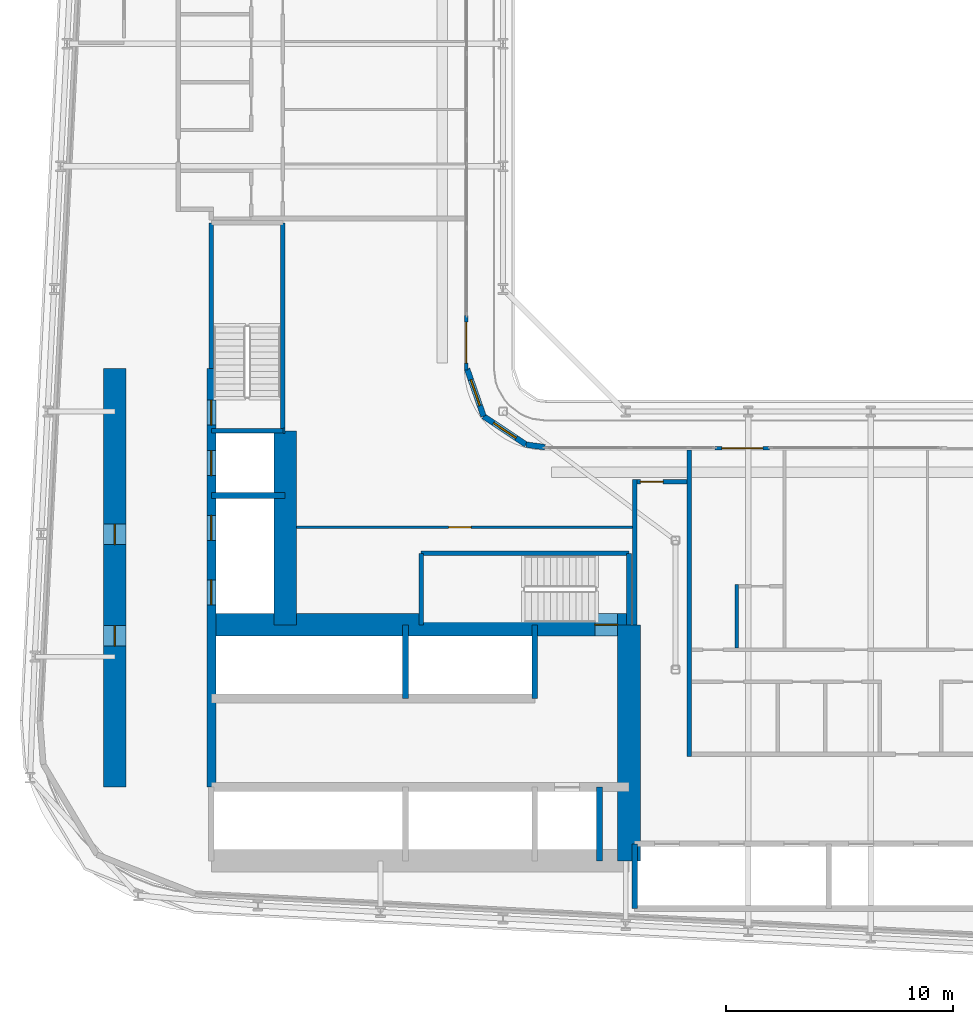
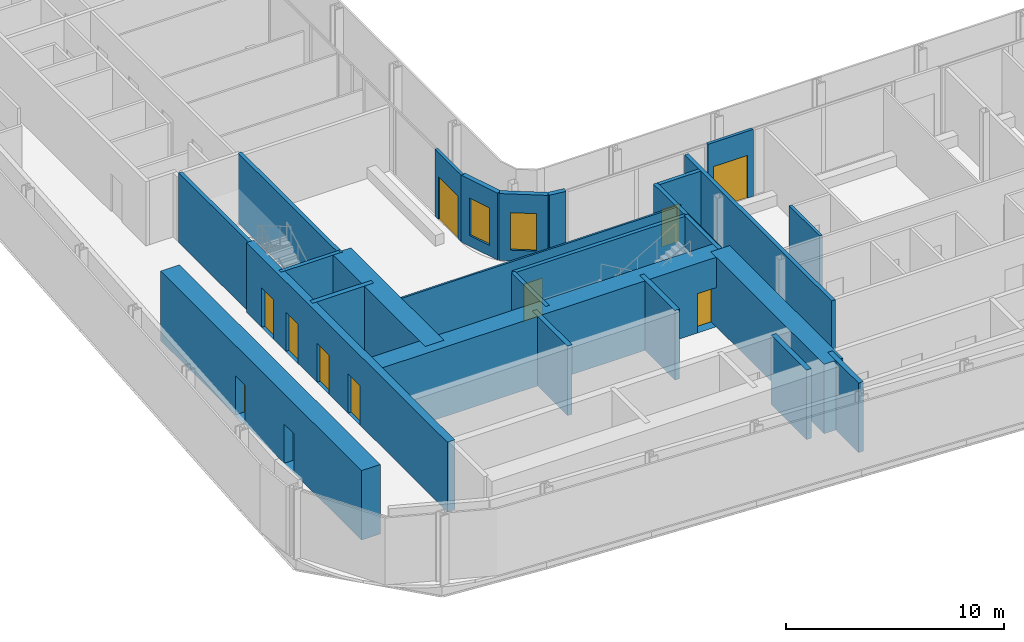
# One storey, part 12 of 25: 27 walls, 11 doors, 2 windows, 13 openings.
"""IFC4 building model written with IfcOpenShell, lengths in metres."""

from ifc_helpers import new_model, si_unit, direction, frame, frame_2d, origin, place, context, subcontext, project, spatial, rectangle, extrude, source, transform, mapped, material, layer, layer_set, type_object, element, fill, save


model = new_model("IFC4")

# Units and contexts
model_context = context("Model", 3, precision=1e-05, world=origin(), true_north=direction((0.0, 1.0)))
body_context = subcontext(model_context, "Body", "Model", "MODEL_VIEW")
ifc_project = project(units=[si_unit("LENGTHUNIT", "METRE"), si_unit("AREAUNIT", "SQUARE_METRE"), si_unit("VOLUMEUNIT", "CUBIC_METRE"), si_unit("PLANEANGLEUNIT", "RADIAN"), si_unit("MASSUNIT", "GRAM", prefix="KILO")], contexts=[model_context])

# Site, building, storey
site_placement = place(None, origin())
site = spatial("IfcSite", under=ifc_project, at=site_placement, CompositionType="ELEMENT")
building_placement = place(site_placement, origin())
building = spatial("IfcBuilding", under=site, at=building_placement, Name="Kheshtan School and Residences Tower", CompositionType="ELEMENT")
storey_placement = place(building_placement, frame((0.0, 0.0, 34.39990234375)))
storey = spatial("IfcBuildingStorey", under=building, at=storey_placement, Name="L07", CompositionType="ELEMENT", Elevation=34.39990234375)

# Wall, opening, door
ifc_material_1 = material(Name="Concrete C80/95", Category="concrete")
ifc_layer_1 = layer(ifc_material_1, 1.0)
ifc_layer_set_1 = layer_set([ifc_layer_1], Name="Core wall 1000 Concrete C80/95")
wall_type_1 = type_object("IfcWallType", Name="Core wall 1000 Concrete C80/95", PredefinedType="SHEAR", material=ifc_layer_set_1)
wall_1_placement = place(storey_placement, frame((34.75, 36.199951171875, 0.0), z_axis=(0.0, 0.0, 1.0), x_axis=(1.0, 0.0, 0.0)))
wall_1 = element("IfcWall", 1, at=wall_1_placement, inside=storey, type_object=wall_type_1, Name="Core wall CW-FRONT-S", PredefinedType="SHEAR", context=body_context, shape_type="SweptSolid", body=[
    extrude(rectangle(XDim=18.39990234375, YDim=1.0, at=frame_2d((9.199951171875, 0.0))), origin(), (0.0, 0.0, 1.0), 3.900146484375),
])
opening_1_placement = place(wall_1_placement, frame((16.89990234375, 0.0, 0.0)))
opening_1 = element("IfcOpeningElement", 2, at=opening_1_placement, cuts=wall_1, Name="Opening ST1D", PredefinedType="OPENING", context=body_context, shape_type="SweptSolid", body=[
    extrude(rectangle(XDim=1.0, YDim=2.199951171875, at=frame_2d((0.5, 1.10009765625))), frame((0.0, 0.510009765625, 0.0), z_axis=(0.0, -1.0, 0.0), x_axis=(1.0, 0.0, 0.0)), (0.0, 0.0, 1.0), 1.02001953125),
])
ifc_material_2 = material(Name="Steel door leaf, galvanised", Category="steel")
door_type_1 = type_object("IfcDoorType", Name="Stair door 1100 steel 90 min", OperationType="SINGLE_SWING_LEFT", PredefinedType="DOOR", material=ifc_material_2)
shared_shape_1 = source(origin(), body_context, "Body", "SweptSolid", [
    extrude(rectangle(XDim=1.0, YDim=2.199951171875, at=frame_2d((0.5, 1.10009765625))), frame((0.0, 0.02490234375, 0.0), z_axis=(0.0, -1.0, 0.0), x_axis=(1.0, 0.0, 0.0)), (0.0, 0.0, 1.0), 0.050048828125),
])
door_1_placement = place(opening_1_placement, origin())
door_1 = element("IfcDoor", 3, at=door_1_placement, inside=storey, type_object=door_type_1, Name="Stair ST1 door", OperationType="SINGLE_SWING_RIGHT", OverallHeight=2.199951171875, OverallWidth=1.0, PredefinedType="DOOR", context=body_context, shape_type="MappedRepresentation", body=[
    mapped(shared_shape_1, transform((0.0, 0.0, 0.0), x_axis=(1.0, 0.0, 0.0), y_axis=(0.0, 1.0, 0.0), z_axis=(0.0, 0.0, 1.0), scale=1.0)),
])
fill(opening_1, door_1)

# Wall
wall_2_placement = place(storey_placement, frame((38.0, 36.199951171875, 0.0), z_axis=(0.0, 0.0, 1.0), x_axis=(0.0, 1.0, 0.0)))
element("IfcWall", 4, at=wall_2_placement, inside=storey, type_object=wall_type_1, Name="Core wall CW-FRONT-W", PredefinedType="SHEAR", context=body_context, shape_type="SweptSolid", body=[
    extrude(rectangle(XDim=8.550048828125, YDim=1.0, at=frame_2d((4.27490234375, 0.0))), origin(), (0.0, 0.0, 1.0), 3.900146484375),
])

# Wall, openings, doors
wall_3_placement = place(storey_placement, frame((30.5, 29.050048828125, 0.0), z_axis=(0.0, 0.0, 1.0), x_axis=(0.0, 1.0, 0.0)))
wall_3 = element("IfcWall", 5, at=wall_3_placement, inside=storey, type_object=wall_type_1, Name="Core wall CW-REAR-W", PredefinedType="SHEAR", context=body_context, shape_type="SweptSolid", body=[
    extrude(rectangle(XDim=18.449951171875, YDim=1.0, at=frame_2d((9.22509765625, 0.0))), origin(), (0.0, 0.0, 1.0), 3.900146484375),
])
opening_2_placement = place(wall_3_placement, frame((6.2099609375, 0.0, 0.0)))
opening_2 = element("IfcOpeningElement", 6, at=opening_2_placement, cuts=wall_3, Name="Opening SR90", PredefinedType="OPENING", context=body_context, shape_type="SweptSolid", body=[
    extrude(rectangle(XDim=0.89990234375, YDim=2.199951171875, at=frame_2d((0.449951171875, 1.10009765625))), frame((0.0, 0.510009765625, 0.0), z_axis=(0.0, -1.0, 0.0), x_axis=(1.0, 0.0, 0.0)), (0.0, 0.0, 1.0), 1.02001953125),
])
opening_3_placement = place(wall_3_placement, frame((10.68408203125, 0.0, 0.0)))
opening_3 = element("IfcOpeningElement", 7, at=opening_3_placement, cuts=wall_3, Name="Opening SR90", PredefinedType="OPENING", context=body_context, shape_type="SweptSolid", body=[
    extrude(rectangle(XDim=0.89990234375, YDim=2.199951171875, at=frame_2d((0.449951171875, 1.10009765625))), frame((0.0, 0.510009765625, 0.0), z_axis=(0.0, -1.0, 0.0), x_axis=(1.0, 0.0, 0.0)), (0.0, 0.0, 1.0), 1.02001953125),
])
door_type_2 = type_object("IfcDoorType", Name="Service room door 900 steel 90 min", OperationType="SINGLE_SWING_LEFT", PredefinedType="DOOR", material=ifc_material_2)
shared_shape_2 = source(origin(), body_context, "Body", "SweptSolid", [
    extrude(rectangle(XDim=0.89990234375, YDim=2.199951171875, at=frame_2d((0.449951171875, 1.10009765625))), frame((0.0, 0.02490234375, 0.0), z_axis=(0.0, -1.0, 0.0), x_axis=(1.0, 0.0, 0.0)), (0.0, 0.0, 1.0), 0.050048828125),
])
door_2_placement = place(opening_2_placement, origin())
door_2 = element("IfcDoor", 8, at=door_2_placement, inside=storey, type_object=door_type_2, Name="Service room door", OperationType="SINGLE_SWING_RIGHT", OverallHeight=2.199951171875, OverallWidth=0.89990234375, PredefinedType="DOOR", context=body_context, shape_type="MappedRepresentation", body=[
    mapped(shared_shape_2, transform((0.0, 0.0, 0.0), x_axis=(1.0, 0.0, 0.0), y_axis=(0.0, 1.0, 0.0), z_axis=(0.0, 0.0, 1.0), scale=1.0)),
])
fill(opening_2, door_2)
door_3_placement = place(opening_3_placement, origin())
door_3 = element("IfcDoor", 9, at=door_3_placement, inside=storey, type_object=door_type_2, Name="Service room door", OperationType="SINGLE_SWING_LEFT", OverallHeight=2.199951171875, OverallWidth=0.89990234375, PredefinedType="DOOR", context=body_context, shape_type="MappedRepresentation", body=[
    mapped(shared_shape_2, transform((0.0, 0.0, 0.0), x_axis=(1.0, 0.0, 0.0), y_axis=(0.0, 1.0, 0.0), z_axis=(0.0, 0.0, 1.0), scale=1.0)),
])
fill(opening_3, door_3)

# Wall
wall_4_placement = place(storey_placement, frame((53.14990234375, 25.800048828125, 0.0), z_axis=(0.0, 0.0, 1.0), x_axis=(0.0, 1.0, 0.0)))
element("IfcWall", 10, at=wall_4_placement, inside=storey, type_object=wall_type_1, Name="Core wall CW-EAST", PredefinedType="SHEAR", context=body_context, shape_type="SweptSolid", body=[
    extrude(rectangle(XDim=10.39990234375, YDim=1.0, at=frame_2d((5.199951171875, 0.0))), origin(), (0.0, 0.0, 1.0), 3.900146484375),
])

# Wall, openings, doors
ifc_material_3 = material(Name="Concrete C50/60", Category="concrete")
ifc_layer_2 = layer(ifc_material_3, 0.39990234375)
ifc_layer_set_2 = layer_set([ifc_layer_2], Name="Core wall 400 Concrete C50/60")
wall_type_2 = type_object("IfcWallType", Name="Core wall 400 Concrete C50/60", PredefinedType="SHEAR", material=ifc_layer_set_2)
wall_5_placement = place(storey_placement, frame((34.75, 29.050048828125, 0.0), z_axis=(0.0, 0.0, 1.0), x_axis=(0.0, 1.0, 0.0)))
wall_5 = element("IfcWall", 11, at=wall_5_placement, inside=storey, type_object=wall_type_2, Name="Core wall CW-HALL-W1", PredefinedType="SHEAR", context=body_context, shape_type="SweptSolid", body=[
    extrude(rectangle(XDim=18.449951171875, YDim=0.39990234375, at=frame_2d((9.22509765625, 0.0))), origin(), (0.0, 0.0, 1.0), 3.900146484375),
])
opening_4_placement = place(wall_5_placement, frame((8.02490234375, 0.0, 0.0)))
opening_4 = element("IfcOpeningElement", 12, at=opening_4_placement, cuts=wall_5, Name="Opening LD", PredefinedType="OPENING", context=body_context, shape_type="SweptSolid", body=[
    extrude(rectangle(XDim=1.10009765625, YDim=2.199951171875, at=frame_2d((0.550048828125, 1.10009765625))), frame((0.0, 0.2099609375, 0.0), z_axis=(0.0, -1.0, 0.0), x_axis=(1.0, 0.0, 0.0)), (0.0, 0.0, 1.0), 0.419921875),
])
opening_5_placement = place(wall_5_placement, frame((10.875, 0.0, 0.0)))
opening_5 = element("IfcOpeningElement", 13, at=opening_5_placement, cuts=wall_5, Name="Opening LD", PredefinedType="OPENING", context=body_context, shape_type="SweptSolid", body=[
    extrude(rectangle(XDim=1.10009765625, YDim=2.199951171875, at=frame_2d((0.550048828125, 1.10009765625))), frame((0.0, 0.2099609375, 0.0), z_axis=(0.0, -1.0, 0.0), x_axis=(1.0, 0.0, 0.0)), (0.0, 0.0, 1.0), 0.419921875),
])
opening_6_placement = place(wall_5_placement, frame((13.72509765625, 0.0, 0.0)))
opening_6 = element("IfcOpeningElement", 14, at=opening_6_placement, cuts=wall_5, Name="Opening LD", PredefinedType="OPENING", context=body_context, shape_type="SweptSolid", body=[
    extrude(rectangle(XDim=1.10009765625, YDim=2.199951171875, at=frame_2d((0.550048828125, 1.10009765625))), frame((0.0, 0.2099609375, 0.0), z_axis=(0.0, -1.0, 0.0), x_axis=(1.0, 0.0, 0.0)), (0.0, 0.0, 1.0), 0.419921875),
])
opening_7_placement = place(wall_5_placement, frame((15.949951171875, 0.0, 0.0)))
opening_7 = element("IfcOpeningElement", 15, at=opening_7_placement, cuts=wall_5, Name="Opening ST2D", PredefinedType="OPENING", context=body_context, shape_type="SweptSolid", body=[
    extrude(rectangle(XDim=1.10009765625, YDim=2.199951171875, at=frame_2d((0.550048828125, 1.10009765625))), frame((0.0, 0.2099609375, 0.0), z_axis=(0.0, -1.0, 0.0), x_axis=(1.0, 0.0, 0.0)), (0.0, 0.0, 1.0), 0.419921875),
])
ifc_material_4 = material(Name="Stainless steel door leaves", Category="steel")
door_type_3 = type_object("IfcDoorType", Name="Lift landing door 1100", OperationType="SLIDING_TO_LEFT", PredefinedType="DOOR", material=ifc_material_4)
shared_shape_3 = source(origin(), body_context, "Body", "SweptSolid", [
    extrude(rectangle(XDim=1.10009765625, YDim=2.199951171875, at=frame_2d((0.550048828125, 1.10009765625))), frame((0.0, 0.02490234375, 0.0), z_axis=(0.0, -1.0, 0.0), x_axis=(1.0, 0.0, 0.0)), (0.0, 0.0, 1.0), 0.050048828125),
])
door_4_placement = place(opening_4_placement, origin())
door_4 = element("IfcDoor", 16, at=door_4_placement, inside=storey, type_object=door_type_3, Name="Lift SV1 landing door", OperationType="SLIDING_TO_LEFT", OverallHeight=2.199951171875, OverallWidth=1.10009765625, PredefinedType="DOOR", context=body_context, shape_type="MappedRepresentation", body=[
    mapped(shared_shape_3, transform((0.0, 0.0, 0.0), x_axis=(1.0, 0.0, 0.0), y_axis=(0.0, 1.0, 0.0), z_axis=(0.0, 0.0, 1.0), scale=1.0)),
])
fill(opening_4, door_4)
door_5_placement = place(opening_5_placement, origin())
door_5 = element("IfcDoor", 17, at=door_5_placement, inside=storey, type_object=door_type_3, Name="Lift SV2 landing door", OperationType="SLIDING_TO_LEFT", OverallHeight=2.199951171875, OverallWidth=1.10009765625, PredefinedType="DOOR", context=body_context, shape_type="MappedRepresentation", body=[
    mapped(shared_shape_3, transform((0.0, 0.0, 0.0), x_axis=(1.0, 0.0, 0.0), y_axis=(0.0, 1.0, 0.0), z_axis=(0.0, 0.0, 1.0), scale=1.0)),
])
fill(opening_5, door_5)
door_6_placement = place(opening_6_placement, origin())
door_6 = element("IfcDoor", 18, at=door_6_placement, inside=storey, type_object=door_type_3, Name="Lift FFL1 landing door", OperationType="SLIDING_TO_LEFT", OverallHeight=2.199951171875, OverallWidth=1.10009765625, PredefinedType="DOOR", context=body_context, shape_type="MappedRepresentation", body=[
    mapped(shared_shape_3, transform((0.0, 0.0, 0.0), x_axis=(1.0, 0.0, 0.0), y_axis=(0.0, 1.0, 0.0), z_axis=(0.0, 0.0, 1.0), scale=1.0)),
])
fill(opening_6, door_6)
shared_shape_4 = source(origin(), body_context, "Body", "SweptSolid", [
    extrude(rectangle(XDim=1.10009765625, YDim=2.199951171875, at=frame_2d((0.550048828125, 1.10009765625))), frame((0.0, 0.02490234375, 0.0), z_axis=(0.0, -1.0, 0.0), x_axis=(1.0, 0.0, 0.0)), (0.0, 0.0, 1.0), 0.050048828125),
])
door_7_placement = place(opening_7_placement, origin())
door_7 = element("IfcDoor", 19, at=door_7_placement, inside=storey, type_object=door_type_1, Name="Stair ST2 door", OperationType="SINGLE_SWING_RIGHT", OverallHeight=2.199951171875, OverallWidth=1.10009765625, PredefinedType="DOOR", context=body_context, shape_type="MappedRepresentation", body=[
    mapped(shared_shape_4, transform((0.0, 0.0, 0.0), x_axis=(1.0, 0.0, 0.0), y_axis=(0.0, 1.0, 0.0), z_axis=(0.0, 0.0, 1.0), scale=1.0)),
])
fill(opening_7, door_7)

# Wall
ifc_material_5 = material(Name="Gypsum board on steel studs with fire boards", Category="steel")
ifc_layer_3 = layer(ifc_material_5, 0.199951171875)
ifc_layer_set_3 = layer_set([ifc_layer_3], Name="Corridor wall 200")
wall_type_3 = type_object("IfcWallType", Name="Corridor wall 200", PredefinedType="PARTITIONING", material=ifc_layer_set_3)
wall_6_placement = place(storey_placement, frame((53.39990234375, 36.198974609375, 0.0), z_axis=(0.0, 0.0, 1.0), x_axis=(0.0, 1.0, 0.0)))
element("IfcWall", 20, at=wall_6_placement, inside=storey, type_object=wall_type_3, Name="Partition L07-045", PredefinedType="PARTITIONING", context=body_context, shape_type="SweptSolid", body=[
    extrude(rectangle(XDim=6.401123046875, YDim=0.199951171875, at=frame_2d((3.20068359375, 0.0))), origin(), (0.0, 0.0, 1.0), 3.60009765625),
])

# Wall, opening, door
wall_7_placement = place(storey_placement, frame((53.5, 42.5, 0.0), z_axis=(0.0, 0.0, 1.0), x_axis=(1.0, 0.0, 0.0)))
wall_7 = element("IfcWall", 21, at=wall_7_placement, inside=storey, type_object=wall_type_3, Name="Partition L07-046", PredefinedType="PARTITIONING", context=body_context, shape_type="SweptSolid", body=[
    extrude(rectangle(XDim=2.199951171875, YDim=0.199951171875, at=frame_2d((1.10009765625, 0.0))), origin(), (0.0, 0.0, 1.0), 3.60009765625),
])
opening_8_placement = place(wall_7_placement, frame((0.14990234375, 0.0, 0.0)))
opening_8 = element("IfcOpeningElement", 22, at=opening_8_placement, cuts=wall_7, Name="Opening D06-056", PredefinedType="OPENING", context=body_context, shape_type="SweptSolid", body=[
    extrude(rectangle(XDim=1.0, YDim=2.10009765625, at=frame_2d((0.5, 1.050048828125))), frame((0.0, 0.10986328125, 0.0), z_axis=(0.0, -1.0, 0.0), x_axis=(1.0, 0.0, 0.0)), (0.0, 0.0, 1.0), 0.219970703125),
])
ifc_material_6 = material(Name="Steel-framed fire-resisting door leaf", Category="steel")
door_type_4 = type_object("IfcDoorType", Name="Fire door FD60 1000 x 2100", OperationType="SINGLE_SWING_LEFT", PredefinedType="DOOR", material=ifc_material_6)
shared_shape_5 = source(origin(), body_context, "Body", "SweptSolid", [
    extrude(rectangle(XDim=1.0, YDim=2.10009765625, at=frame_2d((0.5, 1.050048828125))), frame((0.0, 0.02490234375, 0.0), z_axis=(0.0, -1.0, 0.0), x_axis=(1.0, 0.0, 0.0)), (0.0, 0.0, 1.0), 0.050048828125),
])
door_8_placement = place(opening_8_placement, origin())
door_8 = element("IfcDoor", 23, at=door_8_placement, inside=storey, type_object=door_type_4, Name="Door D06-056", OperationType="SINGLE_SWING_RIGHT", OverallHeight=2.10009765625, OverallWidth=1.0, PredefinedType="DOOR", context=body_context, shape_type="MappedRepresentation", body=[
    mapped(shared_shape_5, transform((0.0, 0.0, 0.0), x_axis=(1.0, 0.0, 0.0), y_axis=(0.0, 1.0, 0.0), z_axis=(0.0, 0.0, 1.0), scale=1.0)),
])
fill(opening_8, door_8)

# Wall, opening, window
ifc_material_7 = material(Name="Concrete C40/50 with ceramic cladding and mineral wool insulation", Category="concrete")
ifc_layer_4 = layer(ifc_material_7, 0.25)
ifc_layer_set_4 = layer_set([ifc_layer_4], Name="External wall 250 ceramic clad")
wall_type_4 = type_object("IfcWallType", Name="External wall 250 ceramic clad", PredefinedType="SOLIDWALL", material=ifc_layer_set_4)
wall_8_placement = place(storey_placement, frame((46.01806640625, 47.470947265625, 0.0), z_axis=(0.0, 0.0, 1.0), x_axis=(0.328791208903, -0.944402637093, 0.0)))
wall_8 = element("IfcWall", 24, at=wall_8_placement, inside=storey, type_object=wall_type_4, Name="External wall L07 9", PredefinedType="SOLIDWALL", context=body_context, shape_type="SweptSolid", body=[
    extrude(rectangle(XDim=2.20458984375, YDim=0.25, at=frame_2d((1.102294921875, 0.0))), origin(), (0.0, 0.0, 1.0), 3.75),
])
opening_9_placement = place(wall_8_placement, frame((0.5029296875, 0.0, 0.60009765625)))
opening_9 = element("IfcOpeningElement", 25, at=opening_9_placement, cuts=wall_8, Name="Opening WN-E", PredefinedType="OPENING", context=body_context, shape_type="SweptSolid", body=[
    extrude(rectangle(XDim=1.199951171875, YDim=2.10009765625, at=frame_2d((0.60009765625, 1.050048828125))), frame((0.0, 0.135009765625, 0.0), z_axis=(0.0, -1.0, 0.0), x_axis=(1.0, 0.0, 0.0)), (0.0, 0.0, 1.0), 0.27001953125),
])
ifc_material_8 = material(Name="Clear low-e glass in thermally broken aluminium frame", Category="aluminium")
window_type = type_object("IfcWindowType", Name="Window WN-E", PartitioningType="SINGLE_PANEL", PredefinedType="WINDOW", material=ifc_material_8)
shared_shape_6 = source(origin(), body_context, "Body", "SweptSolid", [
    extrude(rectangle(XDim=1.199951171875, YDim=2.10009765625, at=frame_2d((0.60009765625, 1.050048828125))), frame((0.0, 0.030029296875, 0.0), z_axis=(0.0, -1.0, 0.0), x_axis=(1.0, 0.0, 0.0)), (0.0, 0.0, 1.0), 0.06005859375),
])
window_1_placement = place(opening_9_placement, origin())
window_1 = element("IfcWindow", 26, at=window_1_placement, inside=storey, type_object=window_type, Name="Window L07 9", OverallHeight=2.10009765625, OverallWidth=1.199951171875, PartitioningType="SINGLE_PANEL", PredefinedType="WINDOW", context=body_context, shape_type="MappedRepresentation", body=[
    mapped(shared_shape_6, transform((0.0, 0.0, 0.0), x_axis=(1.0, 0.0, 0.0), y_axis=(0.0, 1.0, 0.0), z_axis=(0.0, 0.0, 1.0), scale=1.0)),
])
fill(opening_9, window_1)

wall_9_placement = place(storey_placement, frame((46.742919921875, 45.388916015625, 0.0), z_axis=(0.0, 0.0, 1.0), x_axis=(0.831449265529, -0.555600682912, 0.0)))
wall_9 = element("IfcWall", 27, at=wall_9_placement, inside=storey, type_object=wall_type_4, Name="External wall L07 10", PredefinedType="SOLIDWALL", context=body_context, shape_type="SweptSolid", body=[
    extrude(rectangle(XDim=2.25146484375, YDim=0.25, at=frame_2d((1.125732421875, 0.0))), origin(), (0.0, 0.0, 1.0), 3.75),
])
opening_10_placement = place(wall_9_placement, frame((0.52490234375, 0.0, 0.60009765625)))
opening_10 = element("IfcOpeningElement", 28, at=opening_10_placement, cuts=wall_9, Name="Opening WN-E", PredefinedType="OPENING", context=body_context, shape_type="SweptSolid", body=[
    extrude(rectangle(XDim=1.199951171875, YDim=2.10009765625, at=frame_2d((0.60009765625, 1.050048828125))), frame((0.0, 0.135009765625, 0.0), z_axis=(0.0, -1.0, 0.0), x_axis=(1.0, 0.0, 0.0)), (0.0, 0.0, 1.0), 0.27001953125),
])
window_2_placement = place(opening_10_placement, origin())
window_2 = element("IfcWindow", 29, at=window_2_placement, inside=storey, type_object=window_type, Name="Window L07 10", OverallHeight=2.10009765625, OverallWidth=1.199951171875, PartitioningType="SINGLE_PANEL", PredefinedType="WINDOW", context=body_context, shape_type="MappedRepresentation", body=[
    mapped(shared_shape_6, transform((0.0, 0.0, 0.0), x_axis=(1.0, 0.0, 0.0), y_axis=(0.0, 1.0, 0.0), z_axis=(0.0, 0.0, 1.0), scale=1.0)),
])
fill(opening_10, window_2)

# Wall
wall_10_placement = place(storey_placement, frame((48.614990234375, 44.137939453125, 0.0), z_axis=(0.0, 0.0, 1.0), x_axis=(0.990741504246, -0.135761819977, 0.0)))
element("IfcWall", 30, at=wall_10_placement, inside=storey, type_object=wall_type_4, Name="External wall L07 11", PredefinedType="SOLIDWALL", context=body_context, shape_type="SweptSolid", body=[
    extrude(rectangle(XDim=0.83984375, YDim=0.25, at=frame_2d((0.419921875, 0.0))), origin(), (0.0, 0.0, 1.0), 3.75),
])

# Wall, opening, door
ifc_material_9 = material(Name="Aluminium frame wall with insulated infill", Category="aluminium")
ifc_layer_5 = layer(ifc_material_9, 0.14990234375)
ifc_layer_set_5 = layer_set([ifc_layer_5], Name="Glazing frame wall 150")
wall_type_5 = type_object("IfcWallType", Name="Glazing frame wall 150", PredefinedType="SOLIDWALL", material=ifc_layer_set_5)
wall_11_placement = place(storey_placement, frame((45.97509765625, 49.830078125, 0.0), z_axis=(0.0, 0.0, 1.0), x_axis=(0.0, -1.0, 0.0)))
wall_11 = element("IfcWall", 31, at=wall_11_placement, inside=storey, type_object=wall_type_5, Name="Balcony door wall L07 8.5", PredefinedType="SOLIDWALL", context=body_context, shape_type="SweptSolid", body=[
    extrude(rectangle(XDim=2.400146484375, YDim=0.14990234375, at=frame_2d((1.2001953125, 0.0))), origin(), (0.0, 0.0, 1.0), 3.75),
])
opening_11_placement = place(wall_11_placement, frame((0.300048828125, 0.0, 0.0)))
opening_11 = element("IfcOpeningElement", 32, at=opening_11_placement, cuts=wall_11, Name="Opening BD", PredefinedType="OPENING", context=body_context, shape_type="SweptSolid", body=[
    extrude(rectangle(XDim=1.800048828125, YDim=2.39990234375, at=frame_2d((0.89990234375, 1.199951171875))), frame((0.0, 0.0849609375, 0.0), z_axis=(0.0, -1.0, 0.0), x_axis=(1.0, 0.0, 0.0)), (0.0, 0.0, 1.0), 0.169921875),
])
door_type_5 = type_object("IfcDoorType", Name="Balcony sliding door", OperationType="SLIDING_TO_LEFT", PredefinedType="DOOR", material=ifc_material_8)
shared_shape_7 = source(origin(), body_context, "Body", "SweptSolid", [
    extrude(rectangle(XDim=1.800048828125, YDim=2.39990234375, at=frame_2d((0.89990234375, 1.199951171875))), frame((0.0, 0.02490234375, 0.0), z_axis=(0.0, -1.0, 0.0), x_axis=(1.0, 0.0, 0.0)), (0.0, 0.0, 1.0), 0.050048828125),
])
door_9_placement = place(opening_11_placement, origin())
door_9 = element("IfcDoor", 33, at=door_9_placement, inside=storey, type_object=door_type_5, Name="Balcony door L07 8.5", OperationType="SLIDING_TO_LEFT", OverallHeight=2.39990234375, OverallWidth=1.800048828125, PredefinedType="DOOR", context=body_context, shape_type="MappedRepresentation", body=[
    mapped(shared_shape_7, transform((0.0, 0.0, 0.0), x_axis=(1.0, 0.0, 0.0), y_axis=(0.0, 1.0, 0.0), z_axis=(0.0, 0.0, 1.0), scale=1.0)),
])
fill(opening_11, door_9)

wall_12_placement = place(storey_placement, frame((56.947021484375, 43.97509765625, 0.0), z_axis=(0.0, 0.0, 1.0), x_axis=(1.0, 0.0, 0.0)))
wall_12 = element("IfcWall", 34, at=wall_12_placement, inside=storey, type_object=wall_type_5, Name="Balcony door wall L07 12.1", PredefinedType="SOLIDWALL", context=body_context, shape_type="SweptSolid", body=[
    extrude(rectangle(XDim=2.39990234375, YDim=0.14990234375, at=frame_2d((1.199951171875, 0.0))), origin(), (0.0, 0.0, 1.0), 3.75),
])
opening_12_placement = place(wall_12_placement, frame((0.300048828125, 0.0, 0.0)))
opening_12 = element("IfcOpeningElement", 35, at=opening_12_placement, cuts=wall_12, Name="Opening BD", PredefinedType="OPENING", context=body_context, shape_type="SweptSolid", body=[
    extrude(rectangle(XDim=1.800048828125, YDim=2.39990234375, at=frame_2d((0.89990234375, 1.199951171875))), frame((0.0, 0.0849609375, 0.0), z_axis=(0.0, -1.0, 0.0), x_axis=(1.0, 0.0, 0.0)), (0.0, 0.0, 1.0), 0.169921875),
])
door_10_placement = place(opening_12_placement, origin())
door_10 = element("IfcDoor", 36, at=door_10_placement, inside=storey, type_object=door_type_5, Name="Balcony door L07 12.1", OperationType="SLIDING_TO_LEFT", OverallHeight=2.39990234375, OverallWidth=1.800048828125, PredefinedType="DOOR", context=body_context, shape_type="MappedRepresentation", body=[
    mapped(shared_shape_7, transform((0.0, 0.0, 0.0), x_axis=(1.0, 0.0, 0.0), y_axis=(0.0, 1.0, 0.0), z_axis=(0.0, 0.0, 1.0), scale=1.0)),
])
fill(opening_12, door_10)

ifc_material_10 = material(Name="Gypsum board on steel studs", Category="steel")
ifc_layer_6 = layer(ifc_material_10, 0.10009765625)
ifc_layer_set_6 = layer_set([ifc_layer_6], Name="Gypsum partition 100")
wall_type_6 = type_object("IfcWallType", Name="Gypsum partition 100", PredefinedType="PARTITIONING", material=ifc_layer_set_6)
wall_13_placement = place(storey_placement, frame((38.4990234375, 40.5, 0.0), z_axis=(0.0, 0.0, 1.0), x_axis=(1.0, 0.0, 0.0)))
wall_13 = element("IfcWall", 37, at=wall_13_placement, inside=storey, type_object=wall_type_6, Name="Partition L07-043", PredefinedType="PARTITIONING", context=body_context, shape_type="SweptSolid", body=[
    extrude(rectangle(XDim=14.801025390625, YDim=0.10009765625, at=frame_2d((7.400390625, 0.0))), origin(), (0.0, 0.0, 1.0), 3.60009765625),
])
opening_13_placement = place(wall_13_placement, frame((6.700927734375, 0.0, 0.0)))
opening_13 = element("IfcOpeningElement", 38, at=opening_13_placement, cuts=wall_13, Name="Opening D06-055", PredefinedType="OPENING", context=body_context, shape_type="SweptSolid", body=[
    extrude(rectangle(XDim=1.0, YDim=2.10009765625, at=frame_2d((0.5, 1.050048828125))), frame((0.0, 0.06005859375, 0.0), z_axis=(0.0, -1.0, 0.0), x_axis=(1.0, 0.0, 0.0)), (0.0, 0.0, 1.0), 0.1201171875),
])
ifc_material_11 = material(Name="Veneered timber door leaf", Category="wood")
door_type_6 = type_object("IfcDoorType", Name="Door 1000 x 2100", OperationType="SINGLE_SWING_LEFT", PredefinedType="DOOR", material=ifc_material_11)
shared_shape_8 = source(origin(), body_context, "Body", "SweptSolid", [
    extrude(rectangle(XDim=1.0, YDim=2.10009765625, at=frame_2d((0.5, 1.050048828125))), frame((0.0, 0.02490234375, 0.0), z_axis=(0.0, -1.0, 0.0), x_axis=(1.0, 0.0, 0.0)), (0.0, 0.0, 1.0), 0.050048828125),
])
door_11_placement = place(opening_13_placement, origin())
door_11 = element("IfcDoor", 39, at=door_11_placement, inside=storey, type_object=door_type_6, Name="Door D06-055", OperationType="SINGLE_SWING_RIGHT", OverallHeight=2.10009765625, OverallWidth=1.0, PredefinedType="DOOR", context=body_context, shape_type="MappedRepresentation", body=[
    mapped(shared_shape_8, transform((0.0, 0.0, 0.0), x_axis=(1.0, 0.0, 0.0), y_axis=(0.0, 1.0, 0.0), z_axis=(0.0, 0.0, 1.0), scale=1.0)),
])
fill(opening_13, door_11)

# Walls
ifc_material_12 = material(Name="Fire-board shaft wall system")
ifc_layer_7 = layer(ifc_material_12, 0.25)
ifc_layer_set_7 = layer_set([ifc_layer_7], Name="Shaft lining wall 250")
wall_type_7 = type_object("IfcWallType", Name="Shaft lining wall 250", PredefinedType="PARTITIONING", material=ifc_layer_set_7)
for number, where, z_axis, x_axis, name in (
    (40, (43.300048828125, 32.949951171875, 0.0), (0.0, 0.0, 1.0), (0.0, 1.0, 0.0), "Shaft lining wall"),
    (41, (49.0, 32.949951171875, 0.0), (0.0, 0.0, 1.0), (0.0, 1.0, 0.0), "Shaft lining wall"),
    (42, (51.85009765625, 25.800048828125, 0.0), (0.0, 0.0, 1.0), (0.0, 1.0, 0.0), "Shaft lining wall"),
):
    element("IfcWall", number, at=place(storey_placement, frame(where, z_axis=z_axis, x_axis=x_axis)), inside=storey, type_object=wall_type_7, Name=name, PredefinedType="PARTITIONING", context=body_context, shape_type="SweptSolid", body=[
        extrude(rectangle(XDim=3.25, YDim=0.25, at=frame_2d((1.625, 0.0))), origin(), (0.0, 0.0, 1.0), 3.900146484375),
    ])
wall_14_placement = place(storey_placement, frame((53.39990234375, 23.699951171875, 0.0), z_axis=(0.0, 0.0, 1.0), x_axis=(0.0, 1.0, 0.0)))
element("IfcWall", 43, at=wall_14_placement, inside=storey, type_object=wall_type_7, Name="Shaft lining wall", PredefinedType="PARTITIONING", context=body_context, shape_type="SweptSolid", body=[
    extrude(rectangle(XDim=2.85009765625, YDim=0.25, at=frame_2d((1.425048828125, 0.0))), origin(), (0.0, 0.0, 1.0), 3.900146484375),
])
wall_15_placement = place(storey_placement, frame((34.75, 41.89990234375, 0.0), z_axis=(0.0, 0.0, 1.0), x_axis=(1.0, 0.0, 0.0)))
element("IfcWall", 44, at=wall_15_placement, inside=storey, type_object=wall_type_7, Name="Shaft lining wall", PredefinedType="PARTITIONING", context=body_context, shape_type="SweptSolid", body=[
    extrude(rectangle(XDim=3.25, YDim=0.25, at=frame_2d((1.625, 0.0))), origin(), (0.0, 0.0, 1.0), 3.900146484375),
])
wall_16_placement = place(storey_placement, frame((37.89990234375, 44.75, 0.0), z_axis=(0.0, 0.0, 1.0), x_axis=(1.0, 0.0, 0.0)))
element("IfcWall", 45, at=wall_16_placement, inside=storey, type_object=wall_type_7, Name="Shaft lining wall", PredefinedType="PARTITIONING", context=body_context, shape_type="SweptSolid", body=[
    extrude(rectangle(XDim=0.10009765625, YDim=0.25, at=frame_2d((0.050048828125, 0.0))), origin(), (0.0, 0.0, 1.0), 3.900146484375),
])
ifc_material_13 = material(Name="Concrete C40/50", Category="concrete")
ifc_layer_8 = layer(ifc_material_13, 0.199951171875)
ifc_layer_set_8 = layer_set([ifc_layer_8], Name="Stair enclosure wall 200 Concrete C40/50")
wall_type_8 = type_object("IfcWallType", Name="Stair enclosure wall 200 Concrete C40/50", PredefinedType="SHEAR", material=ifc_layer_set_8)
wall_17_placement = place(storey_placement, frame((43.989990234375, 39.35009765625, 0.0), z_axis=(0.0, 0.0, 1.0), x_axis=(1.0, 0.0, 0.0)))
element("IfcWall", 46, at=wall_17_placement, inside=storey, type_object=wall_type_8, Name="Stair enclosure wall ST1", PredefinedType="SHEAR", context=body_context, shape_type="SweptSolid", body=[
    extrude(rectangle(XDim=9.159912109375, YDim=0.199951171875, at=frame_2d((4.580078125, 0.0))), origin(), (0.0, 0.0, 1.0), 3.900146484375),
])
for number, where, z_axis, x_axis, name in (
    (47, (43.989990234375, 36.199951171875, 0.0), (0.0, 0.0, 1.0), (0.0, 1.0, 0.0), "Stair enclosure wall ST1"),
    (48, (53.14990234375, 36.199951171875, 0.0), (0.0, 0.0, 1.0), (0.0, 1.0, 0.0), "Stair enclosure wall ST1"),
):
    element("IfcWall", number, at=place(storey_placement, frame(where, z_axis=z_axis, x_axis=x_axis)), inside=storey, type_object=wall_type_8, Name=name, PredefinedType="SHEAR", context=body_context, shape_type="SweptSolid", body=[
        extrude(rectangle(XDim=3.150146484375, YDim=0.199951171875, at=frame_2d((1.5751953125, 0.0))), origin(), (0.0, 0.0, 1.0), 3.900146484375),
    ])
wall_18_placement = place(storey_placement, frame((34.75, 44.75, 0.0), z_axis=(0.0, 0.0, 1.0), x_axis=(1.0, 0.0, 0.0)))
element("IfcWall", 49, at=wall_18_placement, inside=storey, type_object=wall_type_8, Name="Stair enclosure wall ST2", PredefinedType="SHEAR", context=body_context, shape_type="SweptSolid", body=[
    extrude(rectangle(XDim=3.14990234375, YDim=0.199951171875, at=frame_2d((1.574951171875, 0.0))), origin(), (0.0, 0.0, 1.0), 3.900146484375),
])
wall_19_placement = place(storey_placement, frame((34.75, 47.5, 0.0), z_axis=(0.0, 0.0, 1.0), x_axis=(0.0, 1.0, 0.0)))
element("IfcWall", 50, at=wall_19_placement, inside=storey, type_object=wall_type_8, Name="Stair enclosure wall ST2", PredefinedType="SHEAR", context=body_context, shape_type="SweptSolid", body=[
    extrude(rectangle(XDim=6.409912109375, YDim=0.199951171875, at=frame_2d((3.205078125, 0.0))), origin(), (0.0, 0.0, 1.0), 3.900146484375),
])
wall_20_placement = place(storey_placement, frame((37.89990234375, 44.75, 0.0), z_axis=(0.0, 0.0, 1.0), x_axis=(0.0, 1.0, 0.0)))
element("IfcWall", 51, at=wall_20_placement, inside=storey, type_object=wall_type_8, Name="Stair enclosure wall ST2", PredefinedType="SHEAR", context=body_context, shape_type="SweptSolid", body=[
    extrude(rectangle(XDim=9.159912109375, YDim=0.199951171875, at=frame_2d((4.580078125, 0.0))), origin(), (0.0, 0.0, 1.0), 3.900146484375),
])
ifc_material_14 = material(Name="Twin gypsum board on steel studs with mineral wool", Category="steel")
ifc_layer_9 = layer(ifc_material_14, 0.199951171875)
ifc_layer_set_9 = layer_set([ifc_layer_9], Name="Unit demising wall 200")
wall_type_9 = type_object("IfcWallType", Name="Unit demising wall 200", PredefinedType="PARTITIONING", material=ifc_layer_set_9)
wall_21_placement = place(storey_placement, frame((55.800048828125, 30.39990234375, 0.0), z_axis=(0.0, 0.0, 1.0), x_axis=(0.0, 1.0, 0.0)))
element("IfcWall", 52, at=wall_21_placement, inside=storey, type_object=wall_type_9, Name="Partition L07-047", PredefinedType="PARTITIONING", context=body_context, shape_type="SweptSolid", body=[
    extrude(rectangle(XDim=13.5, YDim=0.199951171875, at=frame_2d((6.75, 0.0))), origin(), (0.0, 0.0, 1.0), 3.60009765625),
])
ifc_material_15 = material(Name="Moisture-resistant gypsum board on steel studs", Category="steel")
ifc_layer_10 = layer(ifc_material_15, 0.14990234375)
ifc_layer_set_10 = layer_set([ifc_layer_10], Name="Wet-room partition 150")
wall_type_10 = type_object("IfcWallType", Name="Wet-room partition 150", PredefinedType="PARTITIONING", material=ifc_layer_set_10)
wall_22_placement = place(storey_placement, frame((57.89990234375, 35.175048828125, 0.0), z_axis=(0.0, 0.0, 1.0), x_axis=(0.0, 1.0, 0.0)))
element("IfcWall", 53, at=wall_22_placement, inside=storey, type_object=wall_type_10, Name="Partition L07-051", PredefinedType="PARTITIONING", context=body_context, shape_type="SweptSolid", body=[
    extrude(rectangle(XDim=2.800048828125, YDim=0.14990234375, at=frame_2d((1.39990234375, 0.0))), origin(), (0.0, 0.0, 1.0), 3.60009765625),
])

save(model, "model.ifc")
